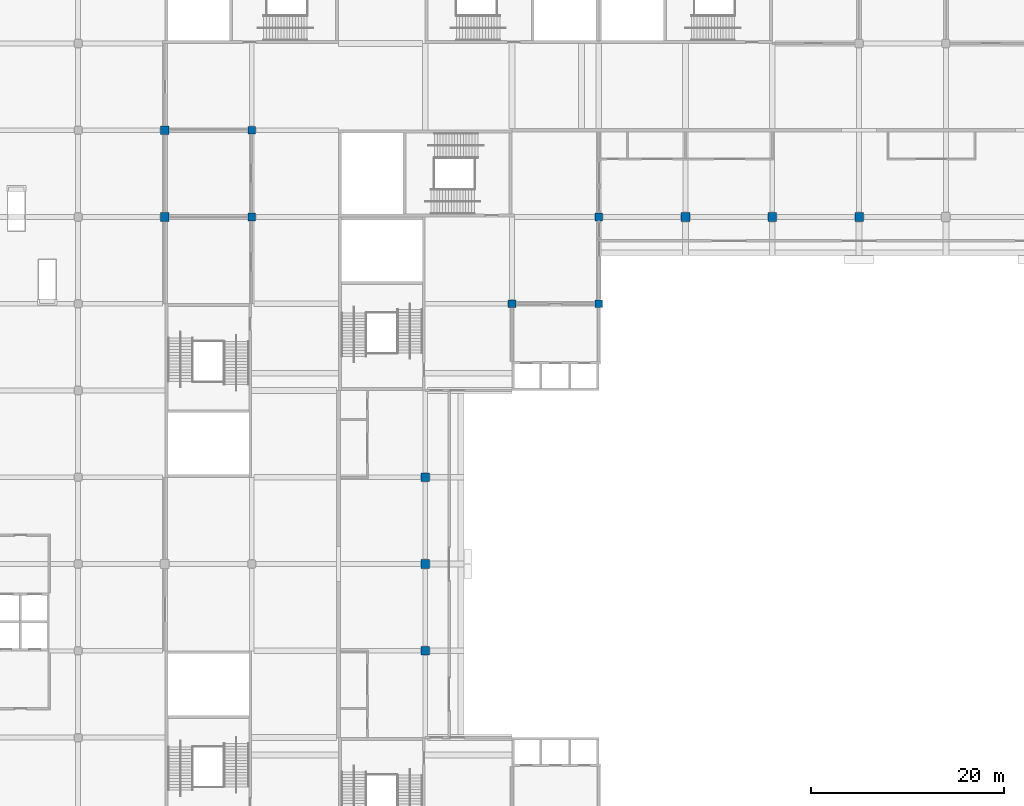
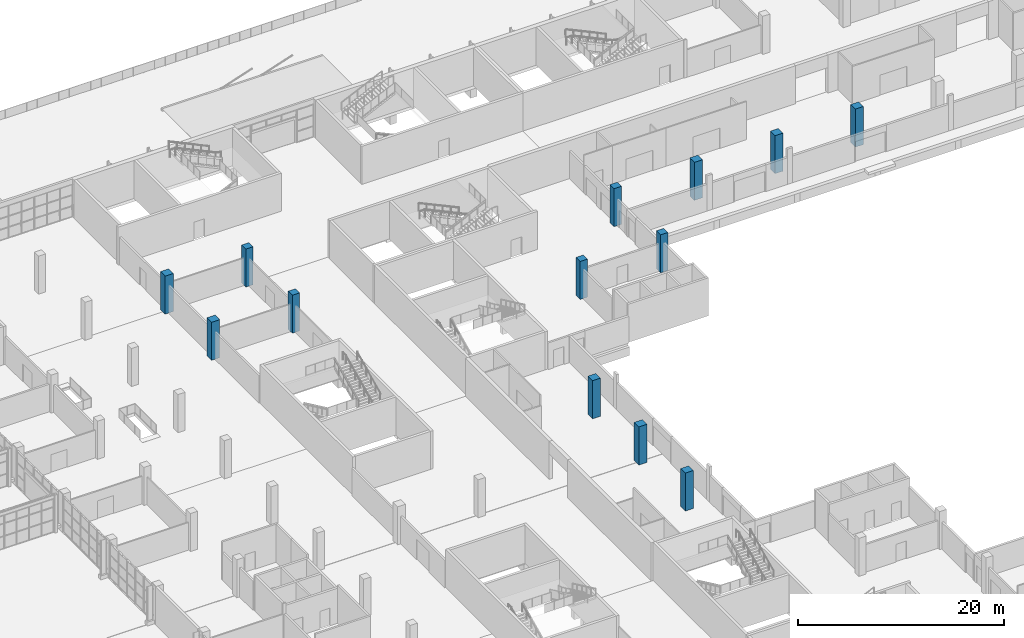
# One storey, part 8 of 168: 13 columns.
"""IFC4 building model written with IfcOpenShell, lengths in metres."""

from ifc_helpers import new_model, si_unit, direction, frame, origin, origin_2d, place, context, subcontext, project, spatial, rectangle, extrude, material, material_profile, profile_set, type_object, element, save


model = new_model("IFC4")

# Units and contexts
model_context = context("Model", 3, precision=1e-05, world=origin(), true_north=direction((0.0, 1.0)))
body_context = subcontext(model_context, "Body", "Model", "MODEL_VIEW")
ifc_project = project(units=[si_unit("LENGTHUNIT", "METRE"), si_unit("AREAUNIT", "SQUARE_METRE"), si_unit("VOLUMEUNIT", "CUBIC_METRE"), si_unit("PLANEANGLEUNIT", "RADIAN"), si_unit("MASSUNIT", "GRAM", prefix="KILO")], contexts=[model_context])

# Site, building, storey
site_placement = place(None, origin())
site = spatial("IfcSite", under=ifc_project, at=site_placement, CompositionType="ELEMENT")
building_placement = place(site_placement, origin())
building = spatial("IfcBuilding", under=site, at=building_placement, Name="Silverbay Arena", CompositionType="ELEMENT")
storey_placement = place(building_placement, frame((0.0, 0.0, 7.0)))
storey = spatial("IfcBuildingStorey", under=building, at=storey_placement, Name="L01", CompositionType="ELEMENT", Elevation=7.0)

# Columns
ifc_material_1 = material(Name="Concrete Grade C45", Category="concrete")
ifc_material_profile_1 = material_profile(ifc_material_1, rectangle(XDim=0.800048828125, YDim=0.800048828125, at=origin_2d()), Name="RC 800x800")
ifc_profile_set_1 = profile_set([ifc_material_profile_1], Name="Concrete Grade C45")
column_type_1 = type_object("IfcColumnType", Name="RC column 800x800", PredefinedType="COLUMN", material=ifc_profile_set_1)
for number, where, z_axis, x_axis, name in (
    (1, (63.0, 117.0, 0.0), (0.0, 0.0, 1.0), (1.0, 0.0, 0.0), "Column 8/P L01"),
    (2, (63.0, 126.0, 0.0), (0.0, 0.0, 1.0), (1.0, 0.0, 0.0), "Column 8/Q L01"),
    (3, (90.0, 108.0, 0.0), (0.0, 0.0, 1.0), (1.0, 0.0, 0.0), "Column 11/N L01"),
    (4, (99.0, 108.0, 0.0), (0.0, 0.0, 1.0), (1.0, 0.0, 0.0), "Column 12/N L01"),
    (5, (99.0, 117.0, 0.0), (0.0, 0.0, 1.0), (1.0, 0.0, 0.0), "Column 12/P L01"),
):
    element("IfcColumn", number, at=place(storey_placement, frame(where, z_axis=z_axis, x_axis=x_axis)), inside=storey, type_object=column_type_1, Name=name, PredefinedType="COLUMN", context=body_context, shape_type="SweptSolid", body=[
        extrude(rectangle(XDim=0.800048828125, YDim=0.800048828125, at=origin_2d()), origin(), (0.0, 0.0, 1.0), 4.5),
    ])
ifc_material_2 = material(Name="Concrete Grade C45", Category="concrete")
ifc_material_profile_2 = material_profile(ifc_material_2, rectangle(XDim=0.89990234375, YDim=0.89990234375, at=origin_2d()), Name="RC 900x900")
ifc_profile_set_2 = profile_set([ifc_material_profile_2], Name="Concrete Grade C45")
column_type_2 = type_object("IfcColumnType", Name="RC column 900x900", PredefinedType="COLUMN", material=ifc_profile_set_2)
for number, where, z_axis, x_axis, name in (
    (6, (54.0, 117.0, 0.0), (0.0, 0.0, 1.0), (1.0, 0.0, 0.0), "Column 7/P L01"),
    (7, (54.0, 126.0, 0.0), (0.0, 0.0, 1.0), (1.0, 0.0, 0.0), "Column 7/Q L01"),
    (8, (108.0, 117.0, 0.0), (0.0, 0.0, 1.0), (1.0, 0.0, 0.0), "Column 13/P L01"),
    (9, (117.0, 117.0, 0.0), (0.0, 0.0, 1.0), (1.0, 0.0, 0.0), "Column 14/P L01"),
    (10, (126.0, 117.0, 0.0), (0.0, 0.0, 1.0), (1.0, 0.0, 0.0), "Column 15/P L01"),
    (11, (81.0, 72.0, 0.0), (0.0, 0.0, 1.0), (1.0, 0.0, 0.0), "Column 10/J L01"),
    (12, (81.0, 81.0, 0.0), (0.0, 0.0, 1.0), (1.0, 0.0, 0.0), "Column 10/K L01"),
    (13, (81.0, 90.0, 0.0), (0.0, 0.0, 1.0), (1.0, 0.0, 0.0), "Column 10/L L01"),
):
    element("IfcColumn", number, at=place(storey_placement, frame(where, z_axis=z_axis, x_axis=x_axis)), inside=storey, type_object=column_type_2, Name=name, PredefinedType="COLUMN", context=body_context, shape_type="SweptSolid", body=[
        extrude(rectangle(XDim=0.89990234375, YDim=0.89990234375, at=origin_2d()), origin(), (0.0, 0.0, 1.0), 4.5),
    ])

save(model, "model.ifc")
